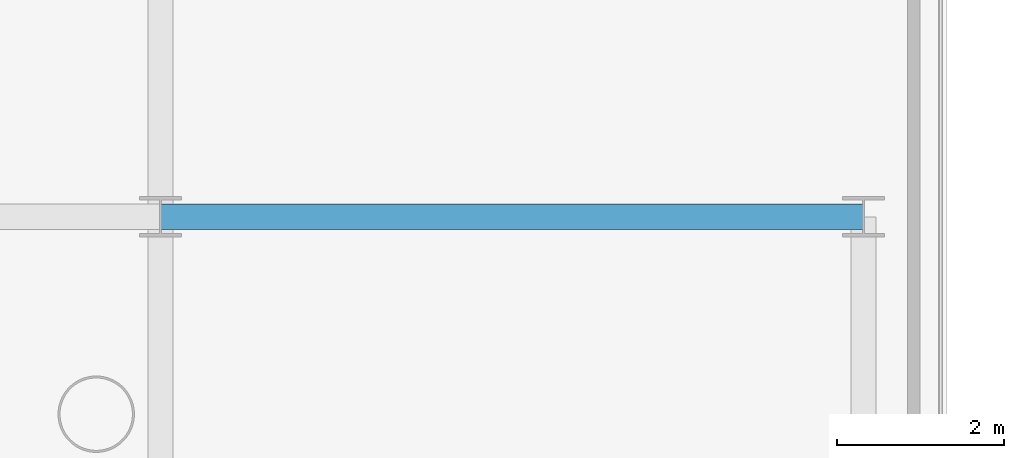
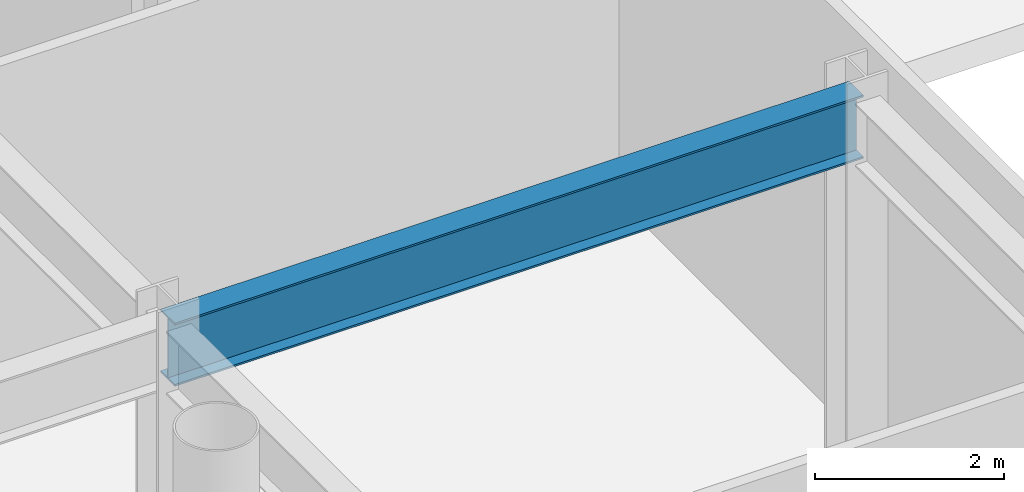
# One storey, part 16 of 38: 1 beam.
"""IFC4 building model written with IfcOpenShell, lengths in metres."""

from ifc_helpers import new_model, si_unit, direction, frame, origin, origin_2d, place, context, subcontext, project, spatial, i_section, extrude, material, material_profile, profile_set, type_object, element, save


model = new_model("IFC4")

# Units and contexts
model_context = context("Model", 3, precision=1e-05, world=origin(), true_north=direction((0.0, 1.0)))
body_context = subcontext(model_context, "Body", "Model", "MODEL_VIEW")
ifc_project = project(units=[si_unit("LENGTHUNIT", "METRE"), si_unit("AREAUNIT", "SQUARE_METRE"), si_unit("VOLUMEUNIT", "CUBIC_METRE"), si_unit("PLANEANGLEUNIT", "RADIAN"), si_unit("MASSUNIT", "GRAM", prefix="KILO")], contexts=[model_context])

# Site, building, storey
site_placement = place(None, origin())
site = spatial("IfcSite", under=ifc_project, at=site_placement, CompositionType="ELEMENT")
building_placement = place(site_placement, origin())
building = spatial("IfcBuilding", under=site, at=building_placement, Name="Orvanel Arch Residences", CompositionType="ELEMENT")
storey_placement = place(building_placement, origin())
storey = spatial("IfcBuildingStorey", under=building, at=storey_placement, Name="L00", CompositionType="ELEMENT", Elevation=0.0)

# Beam
ifc_material = material(Name="Structural steel AS/NZS 3678 Grade 350", Category="steel")
ifc_material_profile = material_profile(ifc_material, i_section(OverallWidth=0.300048828125, OverallDepth=0.81591796875, WebThickness=0.013916015625, FlangeThickness=0.02392578125, at=origin_2d()), Name="800WB192")
ifc_profile_set = profile_set([ifc_material_profile], Name="Structural steel AS/NZS 3678 Grade 350")
beam_type = type_object("IfcBeamType", Name="BG-800WB", PredefinedType="BEAM", material=ifc_profile_set)
beam_placement = place(storey_placement, frame((46.199951171875, 30.0, 4.81201171875), z_axis=(1.0, 0.0, 0.0), x_axis=(0.0, 1.0, 0.0)))
element("IfcBeam", 1, at=beam_placement, inside=storey, type_object=beam_type, Name="L00 BG-800WB beam", PredefinedType="BEAM", context=body_context, shape_type="SweptSolid", body=[
    extrude(i_section(OverallWidth=0.300048828125, OverallDepth=0.81591796875, WebThickness=0.013916015625, FlangeThickness=0.02392578125, at=origin_2d()), origin(), (0.0, 0.0, 1.0), 8.400146484375),
])

save(model, "model.ifc")
